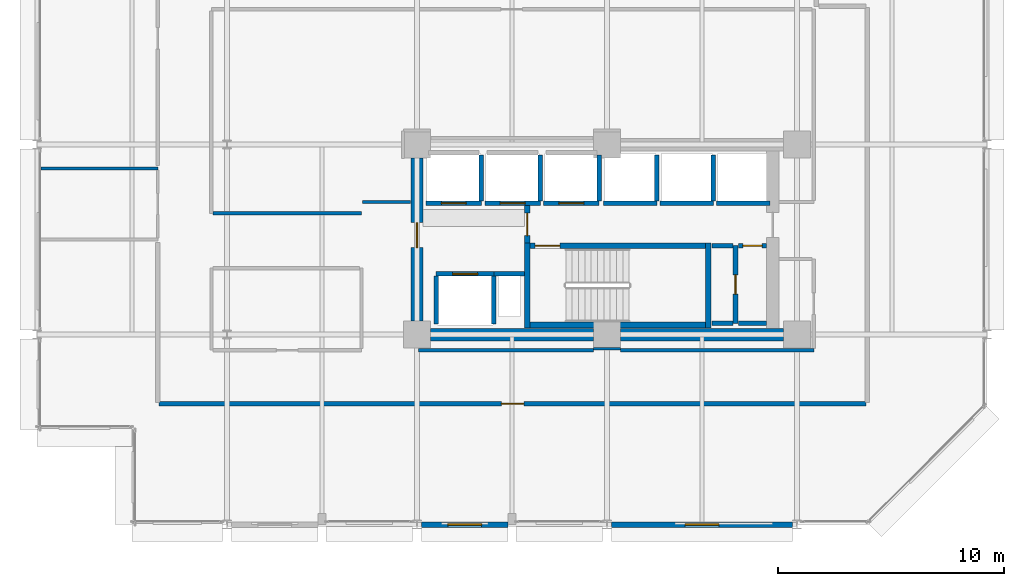
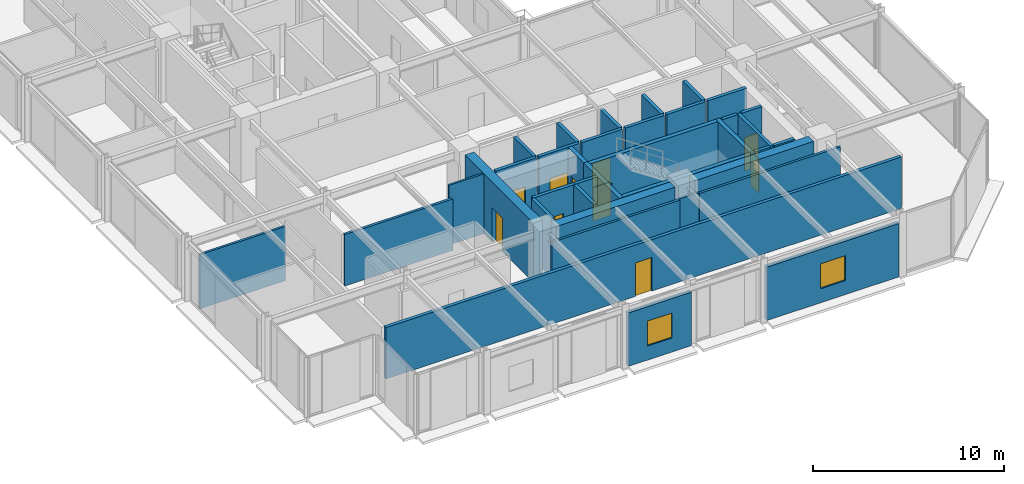
# One storey, part 24 of 30: 37 walls, 10 doors, 2 windows, 12 openings.
"""IFC4 building model written with IfcOpenShell, lengths in metres."""

import ifcopenshell
import ifcopenshell.guid

model = None  # the IFC model being written
_history = None  # IfcOwnerHistory: only IFC2X3 demands one
_inside = {}  # id of a spatial element -> (the spatial element, [elements in it])
_under = {}  # id of a project, library or spatial element -> (it, [spatial elements below it])
_declared = {}  # id of a project -> (the project, [libraries it declares])
_typed = {}  # id of a type object -> (the type object, [elements of that type])
_made_of = {}  # id of a material, layer set ... -> (it, [elements and type objects made of it])


def new_model(schema):
    """Start an empty IFC model of exactly this schema.

    Asked for "IFC4X3", IfcOpenShell would pick the latest addendum, in which some entities
    have other attributes; the version numbers below select the first issue.
    IFC2X3 requires an IfcOwnerHistory on every rooted entity: one is made here for all.
    """
    global model, _history
    if schema == "IFC4X3":
        model = ifcopenshell.file(schema_version=(4, 3, 0, 0))
    else:
        model = ifcopenshell.file(schema=schema)
    _inside.clear()
    _under.clear()
    _declared.clear()
    _typed.clear()
    _made_of.clear()
    _history = None
    if model.schema == "IFC2X3":
        org = make("IfcOrganization", Name="unknown")
        user = make(
            "IfcPersonAndOrganization",
            ThePerson=make("IfcPerson", FamilyName="unknown"),
            TheOrganization=org,
        )
        app = make(
            "IfcApplication",
            ApplicationDeveloper=org,
            Version="unknown",
            ApplicationFullName="unknown",
            ApplicationIdentifier="unknown",
        )
        _history = make(
            "IfcOwnerHistory",
            OwningUser=user,
            OwningApplication=app,
            ChangeAction="ADDED",
            CreationDate=0,
        )
    return model


def make(cls, **values):
    """One entity of the class cls with the attributes given. An attribute that is None is left unset."""
    return model.create_entity(
        cls, **{name: value for name, value in values.items() if value is not None}
    )


def rooted(cls, **values):
    """An entity with a GlobalId (a new one), such as an element, a storey or a relation."""
    return make(cls, GlobalId=ifcopenshell.guid.new(), OwnerHistory=_history, **values)


def si_unit(unit_type, name, prefix=None):
    """IfcSIUnit, for example si_unit("LENGTHUNIT", "METRE", prefix="MILLI")."""
    return make("IfcSIUnit", UnitType=unit_type, Prefix=prefix, Name=name)


def assignment(units):
    """IfcUnitAssignment: the units of a project."""
    return None if units is None else make("IfcUnitAssignment", Units=units)


def point(xyz):
    """IfcCartesianPoint."""
    return None if xyz is None else make("IfcCartesianPoint", Coordinates=xyz)


def direction(xyz):
    """IfcDirection."""
    return None if xyz is None else make("IfcDirection", DirectionRatios=xyz)


def frame(location, z_axis=None, x_axis=None):
    """IfcAxis2Placement3D, a coordinate frame: its origin and axes. An axis left out is left unset."""
    return make(
        "IfcAxis2Placement3D",
        Location=point(location),
        Axis=direction(z_axis),
        RefDirection=direction(x_axis),
    )


def frame_2d(location, x_axis=None):
    """IfcAxis2Placement2D, a coordinate frame in the plane: its origin and x axis."""
    return make(
        "IfcAxis2Placement2D", Location=point(location), RefDirection=direction(x_axis)
    )


def origin():
    """The frame at (0, 0, 0) with its axes left unset."""
    return frame((0.0, 0.0, 0.0))


def place(relative_to, where):
    """IfcLocalPlacement: puts the frame where relative to a parent placement (None: the world)."""
    return make(
        "IfcLocalPlacement", PlacementRelTo=relative_to, RelativePlacement=where
    )


def context(
    kind, dimensions, precision=None, world=None, true_north=None, identifier=None
):
    """IfcGeometricRepresentationContext, for example the 3D "Model" context."""
    return make(
        "IfcGeometricRepresentationContext",
        ContextIdentifier=identifier,
        ContextType=kind,
        CoordinateSpaceDimension=dimensions,
        Precision=precision,
        WorldCoordinateSystem=world,
        TrueNorth=true_north,
    )


def subcontext(parent, identifier, kind, view, scale=None):
    """IfcGeometricRepresentationSubContext, for example "Body" below "Model"."""
    return make(
        "IfcGeometricRepresentationSubContext",
        ContextIdentifier=identifier,
        ContextType=kind,
        ParentContext=parent,
        TargetScale=scale,
        TargetView=view,
    )


def project(units=None, contexts=None):
    """IfcProject with its units and contexts."""
    return rooted(
        "IfcProject",
        Name="project",
        RepresentationContexts=contexts,
        UnitsInContext=assignment(units),
    )


def spatial(cls, under=None, at=None, **own):
    """A site, building, storey or space (cls), placed at a placement, below another one or the project."""
    s = rooted(cls, ObjectPlacement=at, **own)
    if under is not None:
        _under.setdefault(under.id(), (under, []))[1].append(s)
    return s


def profile(cls, at=None, kind="AREA", **sizes):
    """A parametric profile (cls). Its sizes go by their IFC names, for example OverallWidth=200.0."""
    return make(cls, ProfileType=kind, Position=at, **sizes)


def rectangle(**sizes):
    """IfcRectangleProfileDef."""
    return profile("IfcRectangleProfileDef", **sizes)


def extrude(swept, where, along, depth):
    """IfcExtrudedAreaSolid: the profile swept, set in the frame where, extruded along a direction by depth."""
    return make(
        "IfcExtrudedAreaSolid",
        SweptArea=swept,
        Position=where,
        ExtrudedDirection=direction(along),
        Depth=depth,
    )


def shape(context_of_items, identifier, shape_type, items):
    """IfcShapeRepresentation: the items that make up one representation, for example the "Body"."""
    return make(
        "IfcShapeRepresentation",
        ContextOfItems=context_of_items,
        RepresentationIdentifier=identifier,
        RepresentationType=shape_type,
        Items=items,
    )


def material(Name=None, Category=None):
    """IfcMaterial."""
    return make("IfcMaterial", Name=Name, Category=Category)


def layer(
    of_material, thickness, ventilated=None, Name=None, Category=None, Priority=None
):
    """IfcMaterialLayer: one layer of a wall or slab, of a material (None: an air gap)."""
    return make(
        "IfcMaterialLayer",
        Material=of_material,
        LayerThickness=thickness,
        IsVentilated=ventilated,
        Name=Name,
        Category=Category,
        Priority=Priority,
    )


def layer_set(layers, Name=None):
    """IfcMaterialLayerSet."""
    return make("IfcMaterialLayerSet", MaterialLayers=layers, LayerSetName=Name)


def made_of(thing, what):
    """Note that an element or type object is made of a material, layer set ...; save() writes the relation."""
    if what is not None:
        _made_of.setdefault(what.id(), (what, []))[1].append(thing)
    return thing


def type_object(cls, material=None, **own):
    """A type object (cls), such as IfcWallType, which elements share."""
    return made_of(rooted(cls, **own), material)


def element(
    cls,
    number,
    at=None,
    inside=None,
    cuts=None,
    type_object=None,
    material=None,
    context=None,
    identifier="Body",
    shape_type=None,
    held_by="IfcProductDefinitionShape",
    body=None,
    shapes=None,
    **own,
):
    """One element of the class cls, such as IfcWall. Its Tag is "e" and its number.

    at: its placement. inside: the storey or other place that contains it. cuts: it is an
    opening in that element (IfcRelVoidsElement). A single representation is given by context,
    identifier, shape_type and body (its items); several are given by shapes. held_by: the class
    of the entity that holds the representations. save() writes the other relations.
    """
    e = rooted(cls, Tag="e%d" % number, ObjectPlacement=at, **own)
    if body is not None:
        shapes = [shape(context, identifier, shape_type, body)]
    if shapes is not None:
        e.Representation = make(held_by, Representations=shapes)
    if inside is not None:
        _inside.setdefault(inside.id(), (inside, []))[1].append(e)
    if cuts is not None:
        rooted(
            "IfcRelVoidsElement", RelatingBuildingElement=cuts, RelatedOpeningElement=e
        )
    if type_object is not None:
        _typed.setdefault(type_object.id(), (type_object, []))[1].append(e)
    return made_of(e, material)


def fill(opening, filler):
    """IfcRelFillsElement: the door or window that sits in an opening."""
    return rooted(
        "IfcRelFillsElement",
        RelatingOpeningElement=opening,
        RelatedBuildingElement=filler,
    )


def aggregate(whole, parts):
    """IfcRelAggregates: a whole, such as a stair, and the parts it consists of."""
    return rooted("IfcRelAggregates", RelatingObject=whole, RelatedObjects=parts)


def save(model, path):
    """Write the relations noted so far, then the file.

    IfcRelAggregates (storeys below a building ...), IfcRelContainedInSpatialStructure (elements
    in a storey), IfcRelDefinesByType, IfcRelAssociatesMaterial and IfcRelDeclares: one each for
    every whole, place, type object, material and project.
    """
    for whole, parts in _under.values():
        aggregate(whole, parts)
    for where, things in _inside.values():
        rooted(
            "IfcRelContainedInSpatialStructure",
            RelatedElements=things,
            RelatingStructure=where,
        )
    for kind, things in _typed.values():
        rooted("IfcRelDefinesByType", RelatedObjects=things, RelatingType=kind)
    for what, things in _made_of.values():
        rooted("IfcRelAssociatesMaterial", RelatedObjects=things, RelatingMaterial=what)
    for by, libraries in _declared.values():
        rooted("IfcRelDeclares", RelatingContext=by, RelatedDefinitions=libraries)
    model.write(path)


model = new_model("IFC4")

# Units and contexts
model_context = context("Model", 3, precision=1e-05, world=origin(), true_north=direction((0.0, 1.0)))
body_context = subcontext(model_context, "Body", "Model", "MODEL_VIEW")
ifc_project = project(units=[si_unit("LENGTHUNIT", "METRE"), si_unit("AREAUNIT", "SQUARE_METRE"), si_unit("VOLUMEUNIT", "CUBIC_METRE"), si_unit("PLANEANGLEUNIT", "RADIAN"), si_unit("MASSUNIT", "GRAM", prefix="KILO")], contexts=[model_context])

# Site, building, storey
site_placement = place(None, origin())
site = spatial("IfcSite", under=ifc_project, at=site_placement, CompositionType="ELEMENT")
building_placement = place(site_placement, origin())
building = spatial("IfcBuilding", under=site, at=building_placement, Name="Nerrivon Quay Data Exchange", CompositionType="ELEMENT")
storey_placement = place(building_placement, frame((0.0, 0.0, 129.5)))
storey = spatial("IfcBuildingStorey", under=building, at=storey_placement, Name="L30", CompositionType="ELEMENT", Elevation=129.5)

# Wall, opening, window
ifc_material_1 = material(Name="Architectural terracotta precast concrete N50 (50 MPa)", Category="masonry")
ifc_layer_1 = layer(ifc_material_1, 0.239990234375)
ifc_layer_set_1 = layer_set([ifc_layer_1], Name="Architectural terracotta precast concrete N50 (50 MPa)")
wall_type_1 = type_object("IfcWallType", Name="EW-PREC-240", PredefinedType="STANDARD", material=ifc_layer_set_1)
wall_1_placement = place(storey_placement, frame((33.39990234375, 0.0, 0.0), z_axis=(0.0, 0.0, 1.0), x_axis=(-1.0, 0.0, 0.0)))
wall_1 = element("IfcWall", 1, at=wall_1_placement, inside=storey, type_object=wall_type_1, Name="L30 Podium Precast Spandrel Wall 3", PredefinedType="STANDARD", context=body_context, shape_type="SweptSolid", body=[
    extrude(rectangle(XDim=8.0, YDim=0.239990234375, at=frame_2d((4.0, 0.0))), origin(), (0.0, 0.0, 1.0), 3.422119140625),
])
opening_1_placement = place(wall_1_placement, frame((3.25, 0.0, 0.89990234375)))
opening_1 = element("IfcOpeningElement", 2, at=opening_1_placement, cuts=wall_1, Name="Opening WN4", PredefinedType="OPENING", context=body_context, shape_type="SweptSolid", body=[
    extrude(rectangle(XDim=1.5, YDim=1.60009765625, at=frame_2d((0.75, 0.800048828125))), frame((0.0, 0.1298828125, 0.0), z_axis=(0.0, -1.0, 0.0), x_axis=(1.0, 0.0, 0.0)), (0.0, 0.0, 1.0), 0.260009765625),
])
ifc_material_2 = material(Name="Double-glazed low-E solar control glass", Category="glass")
window_type = type_object("IfcWindowType", Name="WIN-W4-1500x1600", PartitioningType="SINGLE_PANEL", PredefinedType="WINDOW", material=ifc_material_2)
window_1_placement = place(opening_1_placement, origin())
window_1 = element("IfcWindow", 3, at=window_1_placement, inside=storey, type_object=window_type, Name="L30 Solar Facade Window 3", OverallHeight=1.60009765625, OverallWidth=1.5, PartitioningType="SINGLE_PANEL", PredefinedType="WINDOW", context=body_context, shape_type="SweptSolid", body=[
    extrude(rectangle(XDim=1.5, YDim=1.60009765625, at=frame_2d((0.75, 0.800048828125))), frame((0.0, 0.030029296875, 0.0), z_axis=(0.0, -1.0, 0.0), x_axis=(1.0, 0.0, 0.0)), (0.0, 0.0, 1.0), 0.06005859375),
])
fill(opening_1, window_1)

wall_2_placement = place(storey_placement, frame((20.824951171875, 0.0, 0.0), z_axis=(0.0, 0.0, 1.0), x_axis=(-1.0, 0.0, 0.0)))
wall_2 = element("IfcWall", 4, at=wall_2_placement, inside=storey, type_object=wall_type_1, Name="L30 Podium Precast Spandrel Wall 5", PredefinedType="STANDARD", context=body_context, shape_type="SweptSolid", body=[
    extrude(rectangle(XDim=3.824951171875, YDim=0.239990234375, at=frame_2d((1.91259765625, 0.0))), origin(), (0.0, 0.0, 1.0), 3.422119140625),
])
opening_2_placement = place(wall_2_placement, frame((1.16259765625, 0.0, 0.89990234375)))
opening_2 = element("IfcOpeningElement", 5, at=opening_2_placement, cuts=wall_2, Name="Opening WN4", PredefinedType="OPENING", context=body_context, shape_type="SweptSolid", body=[
    extrude(rectangle(XDim=1.5, YDim=1.60009765625, at=frame_2d((0.75, 0.800048828125))), frame((0.0, 0.1298828125, 0.0), z_axis=(0.0, -1.0, 0.0), x_axis=(1.0, 0.0, 0.0)), (0.0, 0.0, 1.0), 0.260009765625),
])
window_2_placement = place(opening_2_placement, origin())
window_2 = element("IfcWindow", 6, at=window_2_placement, inside=storey, type_object=window_type, Name="L30 Solar Facade Window 5", OverallHeight=1.60009765625, OverallWidth=1.5, PartitioningType="SINGLE_PANEL", PredefinedType="WINDOW", context=body_context, shape_type="SweptSolid", body=[
    extrude(rectangle(XDim=1.5, YDim=1.60009765625, at=frame_2d((0.75, 0.800048828125))), frame((0.0, 0.030029296875, 0.0), z_axis=(0.0, -1.0, 0.0), x_axis=(1.0, 0.0, 0.0)), (0.0, 0.0, 1.0), 0.06005859375),
])
fill(opening_2, window_2)

# Walls
ifc_material_3 = material(Name="Concrete S65 (65 MPa)", Category="concrete")
ifc_layer_2 = layer(ifc_material_3, 0.550048828125)
ifc_layer_set_2 = layer_set([ifc_layer_2], Name="Concrete S65 (65 MPa)")
wall_type_2 = type_object("IfcWallType", Name="WALL-CW-700", PredefinedType="SHEAR", material=ifc_layer_set_2)
wall_3_placement = place(storey_placement, frame((17.39990234375, 8.39990234375, 0.0), z_axis=(0.0, 0.0, 1.0), x_axis=(1.0, 0.0, 0.0)))
element("IfcWall", 7, at=wall_3_placement, inside=storey, type_object=wall_type_2, Name="L30 East Split-Core Shear Wall ECW-S1", PredefinedType="SHEAR", context=body_context, shape_type="SweptSolid", body=[
    extrude(rectangle(XDim=7.2001953125, YDim=0.550048828125, at=frame_2d((3.60009765625, 0.0))), origin(), (0.0, 0.0, 1.0), 3.824951171875),
])
wall_4_placement = place(storey_placement, frame((25.800048828125, 8.39990234375, 0.0), z_axis=(0.0, 0.0, 1.0), x_axis=(1.0, 0.0, 0.0)))
element("IfcWall", 8, at=wall_4_placement, inside=storey, type_object=wall_type_2, Name="L30 East Split-Core Shear Wall ECW-S2", PredefinedType="SHEAR", context=body_context, shape_type="SweptSolid", body=[
    extrude(rectangle(XDim=7.199951171875, YDim=0.550048828125, at=frame_2d((3.60009765625, 0.0))), origin(), (0.0, 0.0, 1.0), 3.824951171875),
])

# Wall, opening, door
wall_5_placement = place(storey_placement, frame((16.800048828125, 9.0, 0.0), z_axis=(0.0, 0.0, 1.0), x_axis=(0.0, 1.0, 0.0)))
wall_5 = element("IfcWall", 9, at=wall_5_placement, inside=storey, type_object=wall_type_2, Name="L30 East Split-Core Shear Wall ECW-W1", PredefinedType="SHEAR", context=body_context, shape_type="SweptSolid", body=[
    extrude(rectangle(XDim=7.199951171875, YDim=0.550048828125, at=frame_2d((3.60009765625, 0.0))), origin(), (0.0, 0.0, 1.0), 3.824951171875),
])
opening_3_placement = place(wall_5_placement, frame((3.25, 0.0, 0.0)))
opening_3 = element("IfcOpeningElement", 10, at=opening_3_placement, cuts=wall_5, Name="Opening FD-120", PredefinedType="OPENING", context=body_context, shape_type="SweptSolid", body=[
    extrude(rectangle(XDim=1.10009765625, YDim=2.14990234375, at=frame_2d((0.550048828125, 1.074951171875))), frame((0.0, 0.284912109375, 0.0), z_axis=(0.0, -1.0, 0.0), x_axis=(1.0, 0.0, 0.0)), (0.0, 0.0, 1.0), 0.570068359375),
])
ifc_material_4 = material(Name="Powder-coated galvanized steel sheet", Category="steel")
door_type_1 = type_object("IfcDoorType", Name="DR-FD120-1100", OperationType="NOTDEFINED", PredefinedType="DOOR", material=ifc_material_4)
door_1_placement = place(opening_3_placement, origin())
door_1 = element("IfcDoor", 11, at=door_1_placement, inside=storey, type_object=door_type_1, Name="L30 East Core Lobby Fire Door", OperationType="SINGLE_SWING_RIGHT", OverallHeight=2.14990234375, OverallWidth=1.10009765625, PredefinedType="DOOR", context=body_context, shape_type="SweptSolid", body=[
    extrude(rectangle(XDim=1.10009765625, YDim=2.14990234375, at=frame_2d((0.550048828125, 1.074951171875))), frame((0.0, 0.02490234375, 0.0), z_axis=(0.0, -1.0, 0.0), x_axis=(1.0, 0.0, 0.0)), (0.0, 0.0, 1.0), 0.050048828125),
])
fill(opening_3, door_1)

# Wall
ifc_material_5 = material(Name="Gypsum plasterboard on cold-formed framing", Category="gypsum")
ifc_layer_3 = layer(ifc_material_5, 0.199951171875)
ifc_layer_set_3 = layer_set([ifc_layer_3], Name="Gypsum plasterboard on cold-formed framing")
wall_type_3 = type_object("IfcWallType", Name="WALL-FW-200", PredefinedType="PARTITIONING", material=ifc_layer_set_3)
wall_6_placement = place(storey_placement, frame((20.199951171875, 11.080078125, 0.0), z_axis=(0.0, 0.0, 1.0), x_axis=(1.0, 0.0, 0.0)))
element("IfcWall", 12, at=wall_6_placement, inside=storey, type_object=wall_type_3, Name="L30 East Core MEP Riser Shaft Wall N", PredefinedType="PARTITIONING", context=body_context, shape_type="SweptSolid", body=[
    extrude(rectangle(XDim=1.35009765625, YDim=0.199951171875, at=frame_2d((0.675048828125, 0.0))), origin(), (0.0, 0.0, 1.0), 3.824951171875),
])

# Wall, opening, door
wall_7_placement = place(storey_placement, frame((17.64990234375, 11.080078125, 0.0), z_axis=(0.0, 0.0, 1.0), x_axis=(1.0, 0.0, 0.0)))
wall_7 = element("IfcWall", 13, at=wall_7_placement, inside=storey, type_object=wall_type_3, Name="L30 Lift Front Wall FFL-2", PredefinedType="PARTITIONING", context=body_context, shape_type="SweptSolid", body=[
    extrude(rectangle(XDim=2.550048828125, YDim=0.199951171875, at=frame_2d((1.27490234375, 0.0))), origin(), (0.0, 0.0, 1.0), 3.824951171875),
])
opening_4_placement = place(wall_7_placement, frame((0.72509765625, 0.0, 0.0)))
opening_4 = element("IfcOpeningElement", 14, at=opening_4_placement, cuts=wall_7, Name="Opening LD-120", PredefinedType="OPENING", context=body_context, shape_type="SweptSolid", body=[
    extrude(rectangle(XDim=1.10009765625, YDim=2.199951171875, at=frame_2d((0.550048828125, 1.10009765625))), frame((0.0, 0.10986328125, 0.0), z_axis=(0.0, -1.0, 0.0), x_axis=(1.0, 0.0, 0.0)), (0.0, 0.0, 1.0), 0.219970703125),
])
door_type_2 = type_object("IfcDoorType", Name="DR-LIFT-LD120", OperationType="DOUBLE_DOOR_SLIDING", PredefinedType="DOOR", material=ifc_material_4)
door_2_placement = place(opening_4_placement, origin())
door_2 = element("IfcDoor", 15, at=door_2_placement, inside=storey, type_object=door_type_2, Name="L30 Lift Landing Sliding Door FFL-2", OperationType="DOUBLE_DOOR_SLIDING", OverallHeight=2.199951171875, OverallWidth=1.10009765625, PredefinedType="DOOR", context=body_context, shape_type="SweptSolid", body=[
    extrude(rectangle(XDim=1.10009765625, YDim=2.199951171875, at=frame_2d((0.550048828125, 1.10009765625))), frame((0.0, 0.02490234375, 0.0), z_axis=(0.0, -1.0, 0.0), x_axis=(1.0, 0.0, 0.0)), (0.0, 0.0, 1.0), 0.050048828125),
])
fill(opening_4, door_2)

# Walls
for number, where, z_axis, x_axis, name in (
    (16, (20.199951171875, 8.8798828125, 0.0), (0.0, 0.0, 1.0), (0.0, 1.0, 0.0), "L30 Lift Shaft Wall FFL-2 EAST"),
    (17, (17.64990234375, 8.8798828125, 0.0), (0.0, 0.0, 1.0), (0.0, 1.0, 0.0), "L30 Lift Shaft Wall FFL-2 WEST"),
):
    element("IfcWall", number, at=place(storey_placement, frame(where, z_axis=z_axis, x_axis=x_axis)), inside=storey, type_object=wall_type_3, Name=name, PredefinedType="PARTITIONING", context=body_context, shape_type="SweptSolid", body=[
        extrude(rectangle(XDim=2.10009765625, YDim=0.199951171875, at=frame_2d((1.050048828125, 0.0))), origin(), (0.0, 0.0, 1.0), 3.824951171875),
    ])

# Wall, opening, door
wall_8_placement = place(storey_placement, frame((17.199951171875, 14.199951171875, 0.0), z_axis=(0.0, 0.0, 1.0), x_axis=(1.0, 0.0, 0.0)))
wall_8 = element("IfcWall", 18, at=wall_8_placement, inside=storey, type_object=wall_type_3, Name="L30 Lift Front Wall PL4", PredefinedType="PARTITIONING", context=body_context, shape_type="SweptSolid", body=[
    extrude(rectangle(XDim=2.449951171875, YDim=0.199951171875, at=frame_2d((1.22509765625, 0.0))), origin(), (0.0, 0.0, 1.0), 3.824951171875),
])
opening_5_placement = place(wall_8_placement, frame((0.675048828125, 0.0, 0.0)))
opening_5 = element("IfcOpeningElement", 19, at=opening_5_placement, cuts=wall_8, Name="Opening LD-120", PredefinedType="OPENING", context=body_context, shape_type="SweptSolid", body=[
    extrude(rectangle(XDim=1.10009765625, YDim=2.199951171875, at=frame_2d((0.550048828125, 1.10009765625))), frame((0.0, 0.10986328125, 0.0), z_axis=(0.0, -1.0, 0.0), x_axis=(1.0, 0.0, 0.0)), (0.0, 0.0, 1.0), 0.219970703125),
])
door_3_placement = place(opening_5_placement, origin())
door_3 = element("IfcDoor", 20, at=door_3_placement, inside=storey, type_object=door_type_2, Name="L30 Lift Landing Sliding Door PL4", OperationType="DOUBLE_DOOR_SLIDING", OverallHeight=2.199951171875, OverallWidth=1.10009765625, PredefinedType="DOOR", context=body_context, shape_type="SweptSolid", body=[
    extrude(rectangle(XDim=1.10009765625, YDim=2.199951171875, at=frame_2d((0.550048828125, 1.10009765625))), frame((0.0, 0.02490234375, 0.0), z_axis=(0.0, -1.0, 0.0), x_axis=(1.0, 0.0, 0.0)), (0.0, 0.0, 1.0), 0.050048828125),
])
fill(opening_5, door_3)

# Wall
wall_9_placement = place(storey_placement, frame((19.64990234375, 14.300048828125, 0.0), z_axis=(0.0, 0.0, 1.0), x_axis=(0.0, 1.0, 0.0)))
element("IfcWall", 21, at=wall_9_placement, inside=storey, type_object=wall_type_3, Name="L30 Lift Shaft Wall PL4 EAST", PredefinedType="PARTITIONING", context=body_context, shape_type="SweptSolid", body=[
    extrude(rectangle(XDim=2.050048828125, YDim=0.199951171875, at=frame_2d((1.02490234375, 0.0))), origin(), (0.0, 0.0, 1.0), 3.824951171875),
])

# Wall, opening, door
wall_10_placement = place(storey_placement, frame((19.800048828125, 14.199951171875, 0.0), z_axis=(0.0, 0.0, 1.0), x_axis=(1.0, 0.0, 0.0)))
wall_10 = element("IfcWall", 22, at=wall_10_placement, inside=storey, type_object=wall_type_3, Name="L30 Lift Front Wall PL5", PredefinedType="PARTITIONING", context=body_context, shape_type="SweptSolid", body=[
    extrude(rectangle(XDim=2.449951171875, YDim=0.199951171875, at=frame_2d((1.22509765625, 0.0))), origin(), (0.0, 0.0, 1.0), 3.824951171875),
])
opening_6_placement = place(wall_10_placement, frame((0.675048828125, 0.0, 0.0)))
opening_6 = element("IfcOpeningElement", 23, at=opening_6_placement, cuts=wall_10, Name="Opening LD-120", PredefinedType="OPENING", context=body_context, shape_type="SweptSolid", body=[
    extrude(rectangle(XDim=1.10009765625, YDim=2.199951171875, at=frame_2d((0.550048828125, 1.10009765625))), frame((0.0, 0.10986328125, 0.0), z_axis=(0.0, -1.0, 0.0), x_axis=(1.0, 0.0, 0.0)), (0.0, 0.0, 1.0), 0.219970703125),
])
door_4_placement = place(opening_6_placement, origin())
door_4 = element("IfcDoor", 24, at=door_4_placement, inside=storey, type_object=door_type_2, Name="L30 Lift Landing Sliding Door PL5", OperationType="DOUBLE_DOOR_SLIDING", OverallHeight=2.199951171875, OverallWidth=1.10009765625, PredefinedType="DOOR", context=body_context, shape_type="SweptSolid", body=[
    extrude(rectangle(XDim=1.10009765625, YDim=2.199951171875, at=frame_2d((0.550048828125, 1.10009765625))), frame((0.0, 0.02490234375, 0.0), z_axis=(0.0, -1.0, 0.0), x_axis=(1.0, 0.0, 0.0)), (0.0, 0.0, 1.0), 0.050048828125),
])
fill(opening_6, door_4)

# Wall
wall_11_placement = place(storey_placement, frame((22.25, 14.300048828125, 0.0), z_axis=(0.0, 0.0, 1.0), x_axis=(0.0, 1.0, 0.0)))
element("IfcWall", 25, at=wall_11_placement, inside=storey, type_object=wall_type_3, Name="L30 Lift Shaft Wall PL5 EAST", PredefinedType="PARTITIONING", context=body_context, shape_type="SweptSolid", body=[
    extrude(rectangle(XDim=2.050048828125, YDim=0.199951171875, at=frame_2d((1.02490234375, 0.0))), origin(), (0.0, 0.0, 1.0), 3.824951171875),
])

# Wall, opening, door
wall_12_placement = place(storey_placement, frame((22.39990234375, 14.199951171875, 0.0), z_axis=(0.0, 0.0, 1.0), x_axis=(1.0, 0.0, 0.0)))
wall_12 = element("IfcWall", 26, at=wall_12_placement, inside=storey, type_object=wall_type_3, Name="L30 Lift Front Wall PL6", PredefinedType="PARTITIONING", context=body_context, shape_type="SweptSolid", body=[
    extrude(rectangle(XDim=2.4501953125, YDim=0.199951171875, at=frame_2d((1.22509765625, 0.0))), origin(), (0.0, 0.0, 1.0), 3.824951171875),
])
opening_7_placement = place(wall_12_placement, frame((0.675048828125, 0.0, 0.0)))
opening_7 = element("IfcOpeningElement", 27, at=opening_7_placement, cuts=wall_12, Name="Opening LD-120", PredefinedType="OPENING", context=body_context, shape_type="SweptSolid", body=[
    extrude(rectangle(XDim=1.10009765625, YDim=2.199951171875, at=frame_2d((0.550048828125, 1.10009765625))), frame((0.0, 0.10986328125, 0.0), z_axis=(0.0, -1.0, 0.0), x_axis=(1.0, 0.0, 0.0)), (0.0, 0.0, 1.0), 0.219970703125),
])
door_5_placement = place(opening_7_placement, origin())
door_5 = element("IfcDoor", 28, at=door_5_placement, inside=storey, type_object=door_type_2, Name="L30 Lift Landing Sliding Door PL6", OperationType="DOUBLE_DOOR_SLIDING", OverallHeight=2.199951171875, OverallWidth=1.10009765625, PredefinedType="DOOR", context=body_context, shape_type="SweptSolid", body=[
    extrude(rectangle(XDim=1.10009765625, YDim=2.199951171875, at=frame_2d((0.550048828125, 1.10009765625))), frame((0.0, 0.02490234375, 0.0), z_axis=(0.0, -1.0, 0.0), x_axis=(1.0, 0.0, 0.0)), (0.0, 0.0, 1.0), 0.050048828125),
])
fill(opening_7, door_5)

# Walls
wall_13_placement = place(storey_placement, frame((24.85009765625, 14.300048828125, 0.0), z_axis=(0.0, 0.0, 1.0), x_axis=(0.0, 1.0, 0.0)))
element("IfcWall", 29, at=wall_13_placement, inside=storey, type_object=wall_type_3, Name="L30 Lift Shaft Wall PL6 EAST", PredefinedType="PARTITIONING", context=body_context, shape_type="SweptSolid", body=[
    extrude(rectangle(XDim=2.050048828125, YDim=0.199951171875, at=frame_2d((1.02490234375, 0.0))), origin(), (0.0, 0.0, 1.0), 3.824951171875),
])
wall_14_placement = place(storey_placement, frame((25.050048828125, 14.199951171875, 0.0), z_axis=(0.0, 0.0, 1.0), x_axis=(1.0, 0.0, 0.0)))
element("IfcWall", 30, at=wall_14_placement, inside=storey, type_object=wall_type_3, Name="L30 Lift Front Wall PL7", PredefinedType="PARTITIONING", context=body_context, shape_type="SweptSolid", body=[
    extrude(rectangle(XDim=2.349853515625, YDim=0.199951171875, at=frame_2d((1.1748046875, 0.0))), origin(), (0.0, 0.0, 1.0), 3.824951171875),
])
wall_15_placement = place(storey_placement, frame((27.39990234375, 14.300048828125, 0.0), z_axis=(0.0, 0.0, 1.0), x_axis=(0.0, 1.0, 0.0)))
element("IfcWall", 31, at=wall_15_placement, inside=storey, type_object=wall_type_3, Name="L30 Lift Shaft Wall PL7 EAST", PredefinedType="PARTITIONING", context=body_context, shape_type="SweptSolid", body=[
    extrude(rectangle(XDim=2.050048828125, YDim=0.199951171875, at=frame_2d((1.02490234375, 0.0))), origin(), (0.0, 0.0, 1.0), 3.824951171875),
])
wall_16_placement = place(storey_placement, frame((27.550048828125, 14.199951171875, 0.0), z_axis=(0.0, 0.0, 1.0), x_axis=(1.0, 0.0, 0.0)))
element("IfcWall", 32, at=wall_16_placement, inside=storey, type_object=wall_type_3, Name="L30 Lift Front Wall PL8", PredefinedType="PARTITIONING", context=body_context, shape_type="SweptSolid", body=[
    extrude(rectangle(XDim=2.349853515625, YDim=0.199951171875, at=frame_2d((1.1748046875, 0.0))), origin(), (0.0, 0.0, 1.0), 3.824951171875),
])
wall_17_placement = place(storey_placement, frame((29.89990234375, 14.300048828125, 0.0), z_axis=(0.0, 0.0, 1.0), x_axis=(0.0, 1.0, 0.0)))
element("IfcWall", 33, at=wall_17_placement, inside=storey, type_object=wall_type_3, Name="L30 Lift Shaft Wall PL8 EAST", PredefinedType="PARTITIONING", context=body_context, shape_type="SweptSolid", body=[
    extrude(rectangle(XDim=2.050048828125, YDim=0.199951171875, at=frame_2d((1.02490234375, 0.0))), origin(), (0.0, 0.0, 1.0), 3.824951171875),
])
wall_18_placement = place(storey_placement, frame((30.050048828125, 14.199951171875, 0.0), z_axis=(0.0, 0.0, 1.0), x_axis=(1.0, 0.0, 0.0)))
element("IfcWall", 34, at=wall_18_placement, inside=storey, type_object=wall_type_3, Name="L30 Lift Front Wall PL9", PredefinedType="PARTITIONING", context=body_context, shape_type="SweptSolid", body=[
    extrude(rectangle(XDim=2.349853515625, YDim=0.199951171875, at=frame_2d((1.1748046875, 0.0))), origin(), (0.0, 0.0, 1.0), 3.824951171875),
])

# Wall, opening, door
wall_19_placement = place(storey_placement, frame((30.8798828125, 8.89990234375, 0.0), z_axis=(0.0, 0.0, 1.0), x_axis=(0.0, 1.0, 0.0)))
wall_19 = element("IfcWall", 35, at=wall_19_placement, inside=storey, type_object=wall_type_3, Name="L30 Partition East Electrical Closet", PredefinedType="PARTITIONING", context=body_context, shape_type="SweptSolid", body=[
    extrude(rectangle(XDim=3.43017578125, YDim=0.199951171875, at=frame_2d((1.715087890625, 0.0))), origin(), (0.0, 0.0, 1.0), 3.824951171875),
])
opening_8_placement = place(wall_19_placement, frame((1.2900390625, 0.0, 0.0)))
opening_8 = element("IfcOpeningElement", 36, at=opening_8_placement, cuts=wall_19, Name="Opening FD-60S", PredefinedType="OPENING", context=body_context, shape_type="SweptSolid", body=[
    extrude(rectangle(XDim=0.85009765625, YDim=2.14990234375, at=frame_2d((0.425048828125, 1.074951171875))), frame((0.0, 0.10986328125, 0.0), z_axis=(0.0, -1.0, 0.0), x_axis=(1.0, 0.0, 0.0)), (0.0, 0.0, 1.0), 0.219970703125),
])
ifc_material_6 = material(Name="Engineered hardwood timber", Category="wood")
door_type_3 = type_object("IfcDoorType", Name="DR-FD60-850", OperationType="NOTDEFINED", PredefinedType="DOOR", material=ifc_material_6)
door_6_placement = place(opening_8_placement, origin())
door_6 = element("IfcDoor", 37, at=door_6_placement, inside=storey, type_object=door_type_3, Name="L30 Door East Electrical Closet", OperationType="SINGLE_SWING_LEFT", OverallHeight=2.14990234375, OverallWidth=0.85009765625, PredefinedType="DOOR", context=body_context, shape_type="SweptSolid", body=[
    extrude(rectangle(XDim=0.85009765625, YDim=2.14990234375, at=frame_2d((0.425048828125, 1.074951171875))), frame((0.0, 0.02490234375, 0.0), z_axis=(0.0, -1.0, 0.0), x_axis=(1.0, 0.0, 0.0)), (0.0, 0.0, 1.0), 0.050048828125),
])
fill(opening_8, door_6)

# Walls
for number, where, z_axis, x_axis, name in (
    (38, (30.77587890625, 12.330078125, 0.0), (0.0, 0.0, 1.0), (-1.0, 0.0, 0.0), "L30 Partition East Electrical Closet"),
    (39, (29.85009765625, 8.89990234375, 0.0), (0.0, 0.0, 1.0), (1.0, 0.0, 0.0), "L30 Partition East Electrical Closet"),
):
    element("IfcWall", number, at=place(storey_placement, frame(where, z_axis=z_axis, x_axis=x_axis)), inside=storey, type_object=wall_type_3, Name=name, PredefinedType="PARTITIONING", context=body_context, shape_type="SweptSolid", body=[
        extrude(rectangle(XDim=0.92578125, YDim=0.199951171875, at=frame_2d((0.462890625, 0.0))), origin(), (0.0, 0.0, 1.0), 3.824951171875),
    ])

# Wall, opening, door
wall_20_placement = place(storey_placement, frame((32.24609375, 12.330078125, 0.0), z_axis=(0.0, 0.0, 1.0), x_axis=(-1.0, 0.0, 0.0)))
wall_20 = element("IfcWall", 40, at=wall_20_placement, inside=storey, type_object=wall_type_3, Name="L30 Partition East Cleaners Store", PredefinedType="PARTITIONING", context=body_context, shape_type="SweptSolid", body=[
    extrude(rectangle(XDim=1.22607421875, YDim=0.199951171875, at=frame_2d((0.613037109375, 0.0))), origin(), (0.0, 0.0, 1.0), 3.824951171875),
])
opening_9_placement = place(wall_20_placement, frame((0.18798828125, 0.0, 0.0)))
opening_9 = element("IfcOpeningElement", 41, at=opening_9_placement, cuts=wall_20, Name="Opening FD-60S", PredefinedType="OPENING", context=body_context, shape_type="SweptSolid", body=[
    extrude(rectangle(XDim=0.85009765625, YDim=2.14990234375, at=frame_2d((0.425048828125, 1.074951171875))), frame((0.0, 0.10986328125, 0.0), z_axis=(0.0, -1.0, 0.0), x_axis=(1.0, 0.0, 0.0)), (0.0, 0.0, 1.0), 0.219970703125),
])
door_7_placement = place(opening_9_placement, origin())
door_7 = element("IfcDoor", 42, at=door_7_placement, inside=storey, type_object=door_type_3, Name="L30 Door East Cleaners Store", OperationType="SINGLE_SWING_RIGHT", OverallHeight=2.14990234375, OverallWidth=0.85009765625, PredefinedType="DOOR", context=body_context, shape_type="SweptSolid", body=[
    extrude(rectangle(XDim=0.85009765625, YDim=2.14990234375, at=frame_2d((0.425048828125, 1.074951171875))), frame((0.0, 0.02490234375, 0.0), z_axis=(0.0, -1.0, 0.0), x_axis=(1.0, 0.0, 0.0)), (0.0, 0.0, 1.0), 0.050048828125),
])
fill(opening_9, door_7)

# Wall
wall_21_placement = place(storey_placement, frame((31.02001953125, 8.89990234375, 0.0), z_axis=(0.0, 0.0, 1.0), x_axis=(1.0, 0.0, 0.0)))
element("IfcWall", 43, at=wall_21_placement, inside=storey, type_object=wall_type_3, Name="L30 Partition East Cleaners Store", PredefinedType="PARTITIONING", context=body_context, shape_type="SweptSolid", body=[
    extrude(rectangle(XDim=1.22607421875, YDim=0.199951171875, at=frame_2d((0.613037109375, 0.0))), origin(), (0.0, 0.0, 1.0), 3.824951171875),
])

# Wall, opening, door
wall_22_placement = place(storey_placement, frame((36.64990234375, 5.340087890625, 0.0), z_axis=(0.0, 0.0, 1.0), x_axis=(-1.0, 0.0, 0.0)))
wall_22 = element("IfcWall", 44, at=wall_22_placement, inside=storey, type_object=wall_type_3, Name="L30 Partition Colocation Data Workspace 1", PredefinedType="PARTITIONING", context=body_context, shape_type="SweptSolid", body=[
    extrude(rectangle(XDim=31.25, YDim=0.199951171875, at=frame_2d((15.625, 0.0))), origin(), (0.0, 0.0, 1.0), 3.297119140625),
])
opening_10_placement = place(wall_22_placement, frame((15.125, 0.0, 0.0)))
opening_10 = element("IfcOpeningElement", 45, at=opening_10_placement, cuts=wall_22, Name="Opening FD-60", PredefinedType="OPENING", context=body_context, shape_type="SweptSolid", body=[
    extrude(rectangle(XDim=1.0, YDim=2.14990234375, at=frame_2d((0.5, 1.074951171875))), frame((0.0, 0.10986328125, 0.0), z_axis=(0.0, -1.0, 0.0), x_axis=(1.0, 0.0, 0.0)), (0.0, 0.0, 1.0), 0.219970703125),
])
door_type_4 = type_object("IfcDoorType", Name="DR-FD60-1000", OperationType="NOTDEFINED", PredefinedType="DOOR", material=ifc_material_6)
door_8_placement = place(opening_10_placement, origin())
door_8 = element("IfcDoor", 46, at=door_8_placement, inside=storey, type_object=door_type_4, Name="L30 Door Colocation Data Workspace 1", OperationType="SINGLE_SWING_LEFT", OverallHeight=2.14990234375, OverallWidth=1.0, PredefinedType="DOOR", context=body_context, shape_type="SweptSolid", body=[
    extrude(rectangle(XDim=1.0, YDim=2.14990234375, at=frame_2d((0.5, 1.074951171875))), frame((0.0, 0.02490234375, 0.0), z_axis=(0.0, -1.0, 0.0), x_axis=(1.0, 0.0, 0.0)), (0.0, 0.0, 1.0), 0.050048828125),
])
fill(opening_10, door_8)

# Walls
ifc_layer_4 = layer(ifc_material_5, 0.1201171875)
ifc_layer_set_4 = layer_set([ifc_layer_4], Name="Gypsum plasterboard on cold-formed framing")
wall_type_4 = type_object("IfcWallType", Name="WALL-PT-120", PredefinedType="PARTITIONING", material=ifc_layer_set_4)
wall_23_placement = place(storey_placement, frame((25.805908203125, 7.781005859375, 0.0), z_axis=(0.0, 0.0, 1.0), x_axis=(-0.999999672047, -0.000809880277, 0.0)))
element("IfcWall", 47, at=wall_23_placement, inside=storey, type_object=wall_type_4, Name="L30 Partition Staff Pantry", PredefinedType="PARTITIONING", context=body_context, shape_type="SweptSolid", body=[
    extrude(rectangle(XDim=1.205810546875, YDim=0.1201171875, at=frame_2d((0.60302734375, 0.0))), origin(), (0.0, 0.0, 1.0), 3.297119140625),
])
wall_24_placement = place(storey_placement, frame((14.39990234375, 14.260009765625, 0.0), z_axis=(0.0, 0.0, 1.0), x_axis=(1.0, 0.0, 0.0)))
element("IfcWall", 48, at=wall_24_placement, inside=storey, type_object=wall_type_4, Name="L30 Partition Peering Huddle Meeting Room", PredefinedType="PARTITIONING", context=body_context, shape_type="SweptSolid", body=[
    extrude(rectangle(XDim=2.12109375, YDim=0.1201171875, at=frame_2d((1.060546875, 0.0))), origin(), (0.0, 0.0, 1.0), 3.824951171875),
])
ifc_layer_5 = layer(ifc_material_5, 0.135009765625)
ifc_layer_set_5 = layer_set([ifc_layer_5], Name="Gypsum plasterboard on cold-formed framing")
wall_type_5 = type_object("IfcWallType", Name="WALL-PT-135", PredefinedType="PARTITIONING", material=ifc_layer_set_5)
wall_25_placement = place(storey_placement, frame((5.340087890625, 15.75, 0.0), z_axis=(0.0, 0.0, 1.0), x_axis=(-1.0, 0.0, 0.0)))
element("IfcWall", 49, at=wall_25_placement, inside=storey, type_object=wall_type_5, Name="L30 Partition Accessible Toilet", PredefinedType="PARTITIONING", context=body_context, shape_type="SweptSolid", body=[
    extrude(rectangle(XDim=5.171142578125, YDim=0.135009765625, at=frame_2d((2.58544921875, 0.0))), origin(), (0.0, 0.0, 1.0), 3.468994140625),
])
ifc_layer_6 = layer(ifc_material_5, 0.14990234375)
ifc_layer_set_6 = layer_set([ifc_layer_6], Name="Gypsum plasterboard on cold-formed framing")
wall_type_6 = type_object("IfcWallType", Name="WALL-PT-150", PredefinedType="PARTITIONING", material=ifc_layer_set_6)
wall_26_placement = place(storey_placement, frame((16.860107421875, 7.7099609375, 0.0), z_axis=(0.0, 0.0, 1.0), x_axis=(1.0, 0.0, 0.0)))
element("IfcWall", 50, at=wall_26_placement, inside=storey, type_object=wall_type_6, Name="L30 Partition Staff Pantry", PredefinedType="PARTITIONING", context=body_context, shape_type="SweptSolid", body=[
    extrude(rectangle(XDim=7.739990234375, YDim=0.14990234375, at=frame_2d((3.8701171875, 0.0))), origin(), (0.0, 0.0, 1.0), 3.297119140625),
])
wall_27_placement = place(storey_placement, frame((25.805908203125, 7.7099609375, 0.0), z_axis=(0.0, 0.0, 1.0), x_axis=(1.0, 0.0, 0.0)))
element("IfcWall", 51, at=wall_27_placement, inside=storey, type_object=wall_type_6, Name="L30 Partition Staff Pantry", PredefinedType="PARTITIONING", context=body_context, shape_type="SweptSolid", body=[
    extrude(rectangle(XDim=8.5341796875, YDim=0.14990234375, at=frame_2d((4.26708984375, 0.0))), origin(), (0.0, 0.0, 1.0), 3.297119140625),
])
wall_28_placement = place(storey_placement, frame((7.7890625, 13.760009765625, 0.0), z_axis=(0.0, 0.0, 1.0), x_axis=(1.0, 0.0, 0.0)))
element("IfcWall", 52, at=wall_28_placement, inside=storey, type_object=wall_type_6, Name="L30 Partition Peering Huddle Meeting Room", PredefinedType="PARTITIONING", context=body_context, shape_type="SweptSolid", body=[
    extrude(rectangle(XDim=6.551025390625, YDim=0.14990234375, at=frame_2d((3.275390625, 0.0))), origin(), (0.0, 0.0, 1.0), 3.297119140625),
])
ifc_material_7 = material(Name="Concrete N50 (50 MPa)", Category="concrete")
ifc_layer_7 = layer(ifc_material_7, 0.25)
ifc_layer_set_7 = layer_set([ifc_layer_7], Name="Concrete N50 (50 MPa)")
wall_type_7 = type_object("IfcWallType", Name="WALL-SW-250", PredefinedType="SHEAR", material=ifc_layer_set_7)
for number, where, z_axis, x_axis, name in (
    (53, (21.675048828125, 8.699951171875, 0.0), (0.0, 0.0, 1.0), (0.0, 1.0, 0.0), "L30 ST02 Structural Stair Core Wall NEAR"),
    (54, (29.675048828125, 8.699951171875, 0.0), (0.0, 0.0, 1.0), (0.0, 1.0, 0.0), "L30 ST02 Structural Stair Core Wall FAR"),
):
    element("IfcWall", number, at=place(storey_placement, frame(where, z_axis=z_axis, x_axis=x_axis)), inside=storey, type_object=wall_type_7, Name=name, PredefinedType="SHEAR", context=body_context, shape_type="SweptSolid", body=[
        extrude(rectangle(XDim=3.75, YDim=0.25, at=frame_2d((1.875, 0.0))), origin(), (0.0, 0.0, 1.0), 3.824951171875),
    ])
wall_29_placement = place(storey_placement, frame((21.800048828125, 8.824951171875, 0.0), z_axis=(0.0, 0.0, 1.0), x_axis=(1.0, 0.0, 0.0)))
element("IfcWall", 55, at=wall_29_placement, inside=storey, type_object=wall_type_7, Name="L30 ST02 Structural Stair Core Wall LEFT", PredefinedType="SHEAR", context=body_context, shape_type="SweptSolid", body=[
    extrude(rectangle(XDim=7.75, YDim=0.25, at=frame_2d((3.875, 0.0))), origin(), (0.0, 0.0, 1.0), 3.824951171875),
])

# Wall, opening, door
wall_30_placement = place(storey_placement, frame((21.800048828125, 12.324951171875, 0.0), z_axis=(0.0, 0.0, 1.0), x_axis=(1.0, 0.0, 0.0)))
wall_30 = element("IfcWall", 56, at=wall_30_placement, inside=storey, type_object=wall_type_7, Name="L30 ST02 Structural Stair Core Wall RIGHT", PredefinedType="SHEAR", context=body_context, shape_type="SweptSolid", body=[
    extrude(rectangle(XDim=7.75, YDim=0.25, at=frame_2d((3.875, 0.0))), origin(), (0.0, 0.0, 1.0), 3.824951171875),
])
opening_11_placement = place(wall_30_placement, frame((0.219970703125, 0.0, 0.0)))
opening_11 = element("IfcOpeningElement", 57, at=opening_11_placement, cuts=wall_30, Name="Opening FD-120", PredefinedType="OPENING", context=body_context, shape_type="SweptSolid", body=[
    extrude(rectangle(XDim=1.10009765625, YDim=2.14990234375, at=frame_2d((0.550048828125, 1.074951171875))), frame((0.0, 0.135009765625, 0.0), z_axis=(0.0, -1.0, 0.0), x_axis=(1.0, 0.0, 0.0)), (0.0, 0.0, 1.0), 0.27001953125),
])
door_9_placement = place(opening_11_placement, origin())
door_9 = element("IfcDoor", 58, at=door_9_placement, inside=storey, type_object=door_type_1, Name="L30 Protected Stair Door ST02", OperationType="SINGLE_SWING_RIGHT", OverallHeight=2.14990234375, OverallWidth=1.10009765625, PredefinedType="DOOR", context=body_context, shape_type="SweptSolid", body=[
    extrude(rectangle(XDim=1.10009765625, YDim=2.14990234375, at=frame_2d((0.550048828125, 1.074951171875))), frame((0.0, 0.02490234375, 0.0), z_axis=(0.0, -1.0, 0.0), x_axis=(1.0, 0.0, 0.0)), (0.0, 0.0, 1.0), 0.050048828125),
])
fill(opening_11, door_9)

wall_31_placement = place(storey_placement, frame((21.679931640625, 12.449951171875, 0.0), z_axis=(0.0, 0.0, 1.0), x_axis=(0.0, 1.0, 0.0)))
wall_31 = element("IfcWall", 59, at=wall_31_placement, inside=storey, type_object=wall_type_7, Name="L30 East Firefighting Lobby Wall", PredefinedType="SHEAR", context=body_context, shape_type="SweptSolid", body=[
    extrude(rectangle(XDim=1.650146484375, YDim=0.25, at=frame_2d((0.8251953125, 0.0))), origin(), (0.0, 0.0, 1.0), 3.824951171875),
])
opening_12_placement = place(wall_31_placement, frame((0.324951171875, 0.0, 0.0)))
opening_12 = element("IfcOpeningElement", 60, at=opening_12_placement, cuts=wall_31, Name="Opening FD-60", PredefinedType="OPENING", context=body_context, shape_type="SweptSolid", body=[
    extrude(rectangle(XDim=1.0, YDim=2.14990234375, at=frame_2d((0.5, 1.074951171875))), frame((0.0, 0.135009765625, 0.0), z_axis=(0.0, -1.0, 0.0), x_axis=(1.0, 0.0, 0.0)), (0.0, 0.0, 1.0), 0.27001953125),
])
door_10_placement = place(opening_12_placement, origin())
door_10 = element("IfcDoor", 61, at=door_10_placement, inside=storey, type_object=door_type_4, Name="L30 East Firefighting Lobby Fire Door", OperationType="SINGLE_SWING_RIGHT", OverallHeight=2.14990234375, OverallWidth=1.0, PredefinedType="DOOR", context=body_context, shape_type="SweptSolid", body=[
    extrude(rectangle(XDim=1.0, YDim=2.14990234375, at=frame_2d((0.5, 1.074951171875))), frame((0.0, 0.02490234375, 0.0), z_axis=(0.0, -1.0, 0.0), x_axis=(1.0, 0.0, 0.0)), (0.0, 0.0, 1.0), 0.050048828125),
])
fill(opening_12, door_10)

save(model, "model.ifc")
